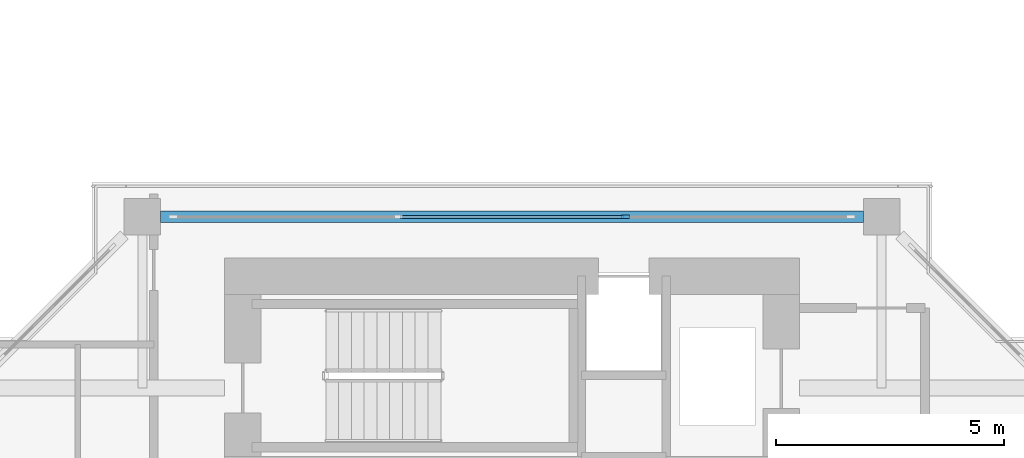
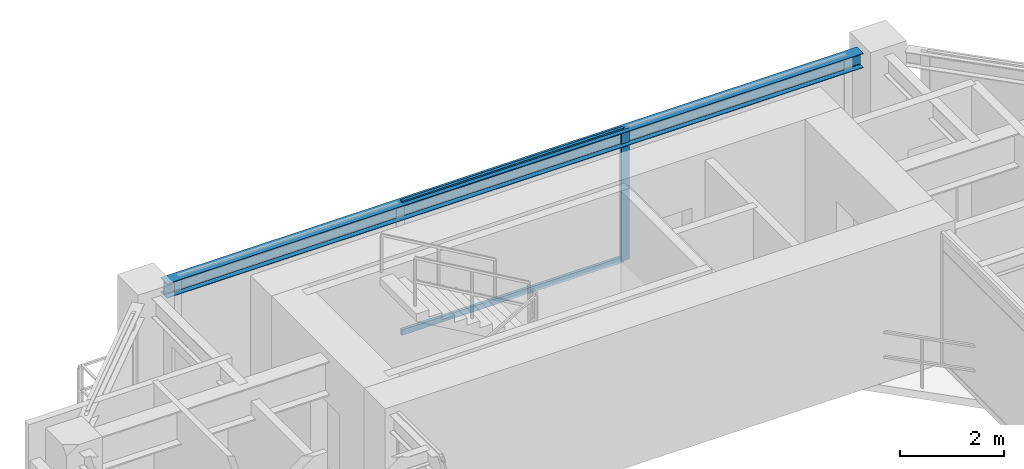
# One storey, part 9 of 23: 3 members, 1 beam, 1 element without a shape of its own.
"""IFC4 building model written with IfcOpenShell, lengths in metres."""

import ifcopenshell
import ifcopenshell.guid

model = None  # the IFC model being written
_history = None  # IfcOwnerHistory: only IFC2X3 demands one
_inside = {}  # id of a spatial element -> (the spatial element, [elements in it])
_under = {}  # id of a project, library or spatial element -> (it, [spatial elements below it])
_declared = {}  # id of a project -> (the project, [libraries it declares])
_typed = {}  # id of a type object -> (the type object, [elements of that type])
_made_of = {}  # id of a material, layer set ... -> (it, [elements and type objects made of it])


def new_model(schema):
    """Start an empty IFC model of exactly this schema.

    Asked for "IFC4X3", IfcOpenShell would pick the latest addendum, in which some entities
    have other attributes; the version numbers below select the first issue.
    IFC2X3 requires an IfcOwnerHistory on every rooted entity: one is made here for all.
    """
    global model, _history
    if schema == "IFC4X3":
        model = ifcopenshell.file(schema_version=(4, 3, 0, 0))
    else:
        model = ifcopenshell.file(schema=schema)
    _inside.clear()
    _under.clear()
    _declared.clear()
    _typed.clear()
    _made_of.clear()
    _history = None
    if model.schema == "IFC2X3":
        org = make("IfcOrganization", Name="unknown")
        user = make(
            "IfcPersonAndOrganization",
            ThePerson=make("IfcPerson", FamilyName="unknown"),
            TheOrganization=org,
        )
        app = make(
            "IfcApplication",
            ApplicationDeveloper=org,
            Version="unknown",
            ApplicationFullName="unknown",
            ApplicationIdentifier="unknown",
        )
        _history = make(
            "IfcOwnerHistory",
            OwningUser=user,
            OwningApplication=app,
            ChangeAction="ADDED",
            CreationDate=0,
        )
    return model


def make(cls, **values):
    """One entity of the class cls with the attributes given. An attribute that is None is left unset."""
    return model.create_entity(
        cls, **{name: value for name, value in values.items() if value is not None}
    )


def rooted(cls, **values):
    """An entity with a GlobalId (a new one), such as an element, a storey or a relation."""
    return make(cls, GlobalId=ifcopenshell.guid.new(), OwnerHistory=_history, **values)


def si_unit(unit_type, name, prefix=None):
    """IfcSIUnit, for example si_unit("LENGTHUNIT", "METRE", prefix="MILLI")."""
    return make("IfcSIUnit", UnitType=unit_type, Prefix=prefix, Name=name)


def assignment(units):
    """IfcUnitAssignment: the units of a project."""
    return None if units is None else make("IfcUnitAssignment", Units=units)


def point(xyz):
    """IfcCartesianPoint."""
    return None if xyz is None else make("IfcCartesianPoint", Coordinates=xyz)


def direction(xyz):
    """IfcDirection."""
    return None if xyz is None else make("IfcDirection", DirectionRatios=xyz)


def frame(location, z_axis=None, x_axis=None):
    """IfcAxis2Placement3D, a coordinate frame: its origin and axes. An axis left out is left unset."""
    return make(
        "IfcAxis2Placement3D",
        Location=point(location),
        Axis=direction(z_axis),
        RefDirection=direction(x_axis),
    )


def frame_2d(location, x_axis=None):
    """IfcAxis2Placement2D, a coordinate frame in the plane: its origin and x axis."""
    return make(
        "IfcAxis2Placement2D", Location=point(location), RefDirection=direction(x_axis)
    )


def origin():
    """The frame at (0, 0, 0) with its axes left unset."""
    return frame((0.0, 0.0, 0.0))


def origin_2d():
    """The frame at (0, 0) in the plane with its x axis left unset."""
    return frame_2d((0.0, 0.0))


def place(relative_to, where):
    """IfcLocalPlacement: puts the frame where relative to a parent placement (None: the world)."""
    return make(
        "IfcLocalPlacement", PlacementRelTo=relative_to, RelativePlacement=where
    )


def context(
    kind, dimensions, precision=None, world=None, true_north=None, identifier=None
):
    """IfcGeometricRepresentationContext, for example the 3D "Model" context."""
    return make(
        "IfcGeometricRepresentationContext",
        ContextIdentifier=identifier,
        ContextType=kind,
        CoordinateSpaceDimension=dimensions,
        Precision=precision,
        WorldCoordinateSystem=world,
        TrueNorth=true_north,
    )


def subcontext(parent, identifier, kind, view, scale=None):
    """IfcGeometricRepresentationSubContext, for example "Body" below "Model"."""
    return make(
        "IfcGeometricRepresentationSubContext",
        ContextIdentifier=identifier,
        ContextType=kind,
        ParentContext=parent,
        TargetScale=scale,
        TargetView=view,
    )


def project(units=None, contexts=None):
    """IfcProject with its units and contexts."""
    return rooted(
        "IfcProject",
        Name="project",
        RepresentationContexts=contexts,
        UnitsInContext=assignment(units),
    )


def spatial(cls, under=None, at=None, **own):
    """A site, building, storey or space (cls), placed at a placement, below another one or the project."""
    s = rooted(cls, ObjectPlacement=at, **own)
    if under is not None:
        _under.setdefault(under.id(), (under, []))[1].append(s)
    return s


def profile(cls, at=None, kind="AREA", **sizes):
    """A parametric profile (cls). Its sizes go by their IFC names, for example OverallWidth=200.0."""
    return make(cls, ProfileType=kind, Position=at, **sizes)


def rectangle(**sizes):
    """IfcRectangleProfileDef."""
    return profile("IfcRectangleProfileDef", **sizes)


def i_section(**sizes):
    """IfcIShapeProfileDef."""
    return profile("IfcIShapeProfileDef", **sizes)


def extrude(swept, where, along, depth):
    """IfcExtrudedAreaSolid: the profile swept, set in the frame where, extruded along a direction by depth."""
    return make(
        "IfcExtrudedAreaSolid",
        SweptArea=swept,
        Position=where,
        ExtrudedDirection=direction(along),
        Depth=depth,
    )


def shape(context_of_items, identifier, shape_type, items):
    """IfcShapeRepresentation: the items that make up one representation, for example the "Body"."""
    return make(
        "IfcShapeRepresentation",
        ContextOfItems=context_of_items,
        RepresentationIdentifier=identifier,
        RepresentationType=shape_type,
        Items=items,
    )


def source(mapping_origin, context_of_items, identifier, shape_type, items):
    """IfcRepresentationMap: a shape defined once, which mapped items show again and again."""
    return make(
        "IfcRepresentationMap",
        MappingOrigin=mapping_origin,
        MappedRepresentation=shape(context_of_items, identifier, shape_type, items),
    )


def transform(
    local_origin,
    x_axis=None,
    y_axis=None,
    z_axis=None,
    scale=None,
    scale2=None,
    scale3=None,
    uniform=True,
):
    """IfcCartesianTransformationOperator3D, or its non-uniform kind. x_axis, y_axis, z_axis: its Axis1, 2, 3."""
    if uniform:
        return make(
            "IfcCartesianTransformationOperator3D",
            Axis1=direction(x_axis),
            Axis2=direction(y_axis),
            LocalOrigin=point(local_origin),
            Scale=scale,
            Axis3=direction(z_axis),
        )
    return make(
        "IfcCartesianTransformationOperator3DnonUniform",
        Axis1=direction(x_axis),
        Axis2=direction(y_axis),
        LocalOrigin=point(local_origin),
        Scale=scale,
        Axis3=direction(z_axis),
        Scale2=scale2,
        Scale3=scale3,
    )


def mapped(mapping_source, mapping_target):
    """IfcMappedItem: shows the shape of a source again, moved by a transform."""
    return make(
        "IfcMappedItem", MappingSource=mapping_source, MappingTarget=mapping_target
    )


def material(Name=None, Category=None):
    """IfcMaterial."""
    return make("IfcMaterial", Name=Name, Category=Category)


def layer(
    of_material, thickness, ventilated=None, Name=None, Category=None, Priority=None
):
    """IfcMaterialLayer: one layer of a wall or slab, of a material (None: an air gap)."""
    return make(
        "IfcMaterialLayer",
        Material=of_material,
        LayerThickness=thickness,
        IsVentilated=ventilated,
        Name=Name,
        Category=Category,
        Priority=Priority,
    )


def layer_set(layers, Name=None):
    """IfcMaterialLayerSet."""
    return make("IfcMaterialLayerSet", MaterialLayers=layers, LayerSetName=Name)


def material_profile(
    of_material, cross_section, Name=None, Category=None, Priority=None
):
    """IfcMaterialProfile: a cross section and its material."""
    return make(
        "IfcMaterialProfile",
        Name=Name,
        Material=of_material,
        Profile=cross_section,
        Priority=Priority,
        Category=Category,
    )


def profile_set(profiles, Name=None, composite=None):
    """IfcMaterialProfileSet."""
    return make(
        "IfcMaterialProfileSet",
        Name=Name,
        MaterialProfiles=profiles,
        CompositeProfile=composite,
    )


def made_of(thing, what):
    """Note that an element or type object is made of a material, layer set ...; save() writes the relation."""
    if what is not None:
        _made_of.setdefault(what.id(), (what, []))[1].append(thing)
    return thing


def type_object(cls, material=None, **own):
    """A type object (cls), such as IfcWallType, which elements share."""
    return made_of(rooted(cls, **own), material)


def element(
    cls,
    number,
    at=None,
    inside=None,
    cuts=None,
    type_object=None,
    material=None,
    context=None,
    identifier="Body",
    shape_type=None,
    held_by="IfcProductDefinitionShape",
    body=None,
    shapes=None,
    **own,
):
    """One element of the class cls, such as IfcWall. Its Tag is "e" and its number.

    at: its placement. inside: the storey or other place that contains it. cuts: it is an
    opening in that element (IfcRelVoidsElement). A single representation is given by context,
    identifier, shape_type and body (its items); several are given by shapes. held_by: the class
    of the entity that holds the representations. save() writes the other relations.
    """
    e = rooted(cls, Tag="e%d" % number, ObjectPlacement=at, **own)
    if body is not None:
        shapes = [shape(context, identifier, shape_type, body)]
    if shapes is not None:
        e.Representation = make(held_by, Representations=shapes)
    if inside is not None:
        _inside.setdefault(inside.id(), (inside, []))[1].append(e)
    if cuts is not None:
        rooted(
            "IfcRelVoidsElement", RelatingBuildingElement=cuts, RelatedOpeningElement=e
        )
    if type_object is not None:
        _typed.setdefault(type_object.id(), (type_object, []))[1].append(e)
    return made_of(e, material)


def aggregate(whole, parts):
    """IfcRelAggregates: a whole, such as a stair, and the parts it consists of."""
    return rooted("IfcRelAggregates", RelatingObject=whole, RelatedObjects=parts)


def save(model, path):
    """Write the relations noted so far, then the file.

    IfcRelAggregates (storeys below a building ...), IfcRelContainedInSpatialStructure (elements
    in a storey), IfcRelDefinesByType, IfcRelAssociatesMaterial and IfcRelDeclares: one each for
    every whole, place, type object, material and project.
    """
    for whole, parts in _under.values():
        aggregate(whole, parts)
    for where, things in _inside.values():
        rooted(
            "IfcRelContainedInSpatialStructure",
            RelatedElements=things,
            RelatingStructure=where,
        )
    for kind, things in _typed.values():
        rooted("IfcRelDefinesByType", RelatedObjects=things, RelatingType=kind)
    for what, things in _made_of.values():
        rooted("IfcRelAssociatesMaterial", RelatedObjects=things, RelatingMaterial=what)
    for by, libraries in _declared.values():
        rooted("IfcRelDeclares", RelatingContext=by, RelatedDefinitions=libraries)
    model.write(path)


model = new_model("IFC4")

# Units and contexts
model_context = context("Model", 3, precision=1e-05, world=origin(), true_north=direction((0.0, 1.0)))
body_context = subcontext(model_context, "Body", "Model", "MODEL_VIEW")
ifc_project = project(units=[si_unit("LENGTHUNIT", "METRE"), si_unit("AREAUNIT", "SQUARE_METRE"), si_unit("VOLUMEUNIT", "CUBIC_METRE"), si_unit("PLANEANGLEUNIT", "RADIAN"), si_unit("MASSUNIT", "GRAM", prefix="KILO"), si_unit("THERMODYNAMICTEMPERATUREUNIT", "KELVIN"), si_unit("POWERUNIT", "WATT")], contexts=[model_context])

# Site, building, storey
site_placement = place(None, origin())
site = spatial("IfcSite", under=ifc_project, at=site_placement, CompositionType="ELEMENT")
building_placement = place(site_placement, origin())
building = spatial("IfcBuilding", under=site, at=building_placement, Name="Qiaomeng Ring Towers", CompositionType="ELEMENT")
storey_placement = place(building_placement, frame((0.0, 0.0, 97.0)))
storey = spatial("IfcBuildingStorey", under=building, at=storey_placement, Name="L27", CompositionType="ELEMENT", Elevation=97.0)

# Beam
ifc_material_1 = material(Name="Steel Q355B", Category="steel")
ifc_material_profile_1 = material_profile(ifc_material_1, i_section(OverallWidth=0.25, OverallDepth=0.340087890625, WebThickness=0.009033203125, FlangeThickness=0.013916015625, FilletRadius=0.02001953125, at=origin_2d()), Name="HM 340x250x9x14")
ifc_profile_set_1 = profile_set([ifc_material_profile_1], Name="Steel Q355B")
beam_type = type_object("IfcBeamType", Name="STR-BM-HM340", PredefinedType="SPANDREL", material=ifc_profile_set_1)
shared_shape_1 = source(origin(), body_context, "Body", "SweptSolid", [
    extrude(i_section(OverallWidth=0.25, OverallDepth=0.340087890625, WebThickness=0.009033203125, FlangeThickness=0.013916015625, FilletRadius=0.02001953125, at=origin_2d()), origin(), (0.0, 0.0, 1.0), 15.40185546875),
])
beam_placement = place(storey_placement, frame((68.200927734375, 34.85009765625, 2.89990234375), z_axis=(-1.0, 0.0, 0.0), x_axis=(0.0, -1.0, 0.0)))
element("IfcBeam", 1, at=beam_placement, inside=storey, type_object=beam_type, Name="L27 beam STR-SP-L27-T2-N2-N1", PredefinedType="SPANDREL", context=body_context, shape_type="MappedRepresentation", body=[
    mapped(shared_shape_1, transform((0.0, 0.0, 0.0), x_axis=(1.0, 0.0, 0.0), y_axis=(0.0, 1.0, 0.0), z_axis=(0.0, 0.0, 1.0), scale=1.0)),
])

# Curtain wall, members
ifc_material_2 = material(Name="Fluorocarbon dark-grey aluminium", Category="aluminium")
ifc_layer = layer(ifc_material_2, 0.14990234375, Name="Fluorocarbon dark-grey aluminium")
ifc_layer_set = layer_set([ifc_layer], Name="Fluorocarbon dark-grey aluminium")
curtain_wall_type = type_object("IfcCurtainWallType", Name="ARC-CW-5", PredefinedType="NOTDEFINED", material=ifc_layer_set)
curtain_wall_placement = place(storey_placement, origin())
curtain_wall = element("IfcCurtainWall", 2, at=curtain_wall_placement, inside=storey, type_object=curtain_wall_type, Name="L27 Curtain Wall CW5", PredefinedType="NOTDEFINED")
ifc_material_profile_2 = material_profile(ifc_material_2, rectangle(XDim=0.070068359375, YDim=0.179931640625, at=origin_2d()), Name="ALU MULL 70x180")
ifc_profile_set_2 = profile_set([ifc_material_profile_2], Name="Fluorocarbon dark-grey aluminium")
member_type_1 = type_object("IfcMemberType", Name="ARC-CWM-160", PredefinedType="MULLION", material=ifc_profile_set_2)
shared_shape_2 = source(origin(), body_context, "Body", "SweptSolid", [
    extrude(rectangle(XDim=0.070068359375, YDim=0.179931640625, at=origin_2d()), origin(), (0.0, 0.0, 1.0), 3.070068359375),
])
member_1_placement = place(storey_placement, frame((62.986572265625, 34.85009765625, 0.0), z_axis=(0.0, 0.0, 1.0), x_axis=(0.0, 1.0, 0.0)))
member_1 = element("IfcMember", 3, at=member_1_placement, type_object=member_type_1, Name="CW5 mullion 3", PredefinedType="MULLION", context=body_context, shape_type="MappedRepresentation", body=[
    mapped(shared_shape_2, transform((0.0, 0.0, 0.0), x_axis=(1.0, 0.0, 0.0), y_axis=(0.0, 1.0, 0.0), z_axis=(0.0, 0.0, 1.0), scale=1.0)),
])
ifc_material_profile_3 = material_profile(ifc_material_2, rectangle(XDim=0.06494140625, YDim=0.1298828125, at=origin_2d()), Name="ALU TRAN 65x130")
ifc_profile_set_3 = profile_set([ifc_material_profile_3], Name="Fluorocarbon dark-grey aluminium")
member_type_2 = type_object("IfcMemberType", Name="ARC-CWT-120", PredefinedType="USERDEFINED", material=ifc_profile_set_3)
shared_shape_3 = source(origin(), body_context, "Body", "SweptSolid", [
    extrude(rectangle(XDim=0.06494140625, YDim=0.1298828125, at=origin_2d()), origin(), (0.0, 0.0, 1.0), 4.9033203125),
])
member_2_placement = place(storey_placement, frame((58.04833984375, 34.85009765625, 0.032470703125), z_axis=(1.0, 0.0, 0.0), x_axis=(0.0, 1.0, 0.0)))
member_2 = element("IfcMember", 4, at=member_2_placement, type_object=member_type_2, Name="CW5 transom 2.1", ObjectType="TRANSOM", PredefinedType="USERDEFINED", context=body_context, shape_type="MappedRepresentation", body=[
    mapped(shared_shape_3, transform((0.0, 0.0, 0.0), x_axis=(1.0, 0.0, 0.0), y_axis=(0.0, 1.0, 0.0), z_axis=(0.0, 0.0, 1.0), scale=1.0)),
])
member_3_placement = place(storey_placement, frame((58.04833984375, 34.85009765625, 3.03759765625), z_axis=(1.0, 0.0, 0.0), x_axis=(0.0, 1.0, 0.0)))
member_3 = element("IfcMember", 5, at=member_3_placement, type_object=member_type_2, Name="CW5 transom 2.2", ObjectType="TRANSOM", PredefinedType="USERDEFINED", context=body_context, shape_type="MappedRepresentation", body=[
    mapped(shared_shape_3, transform((0.0, 0.0, 0.0), x_axis=(1.0, 0.0, 0.0), y_axis=(0.0, 1.0, 0.0), z_axis=(0.0, 0.0, 1.0), scale=1.0)),
])
aggregate(curtain_wall, [member_1, member_2, member_3])

save(model, "model.ifc")
